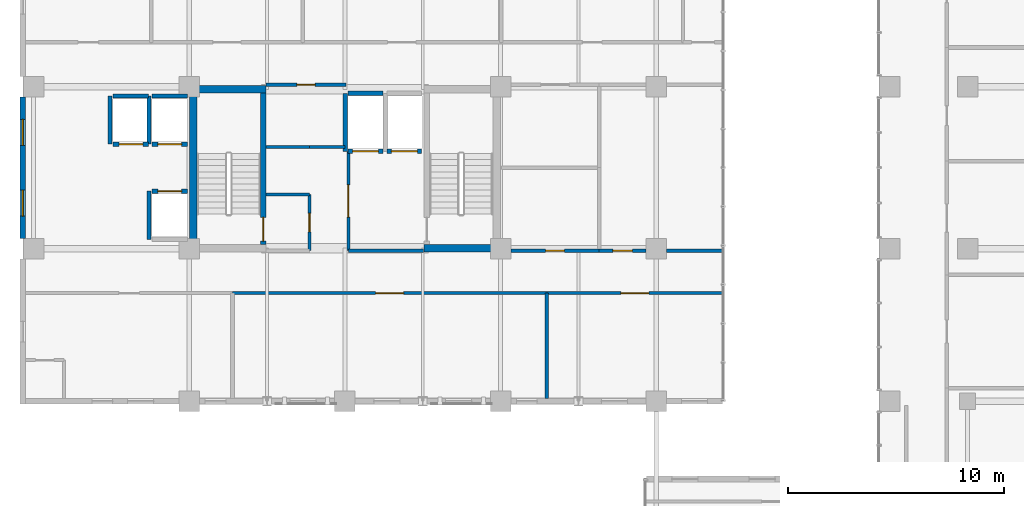
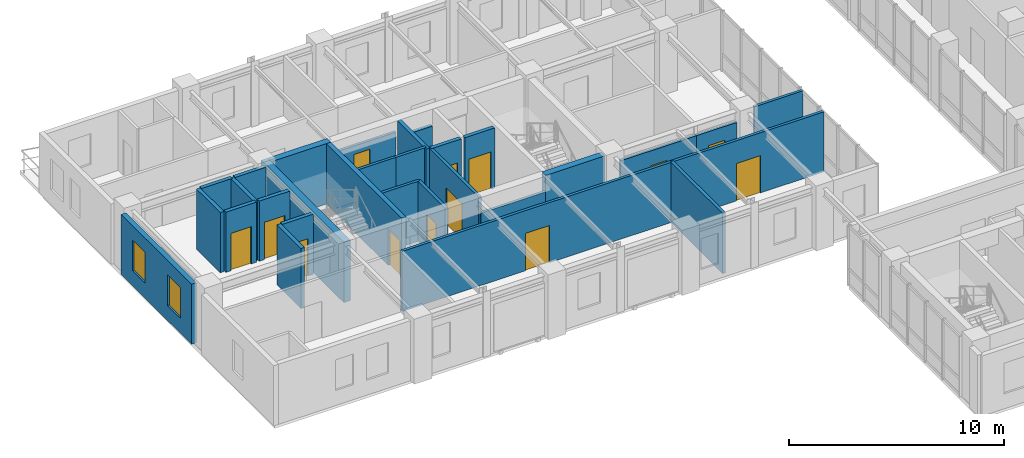
# One storey, part 17 of 24: 30 walls, 13 doors, 2 windows, 15 openings.
"""IFC4 building model written with IfcOpenShell, lengths in metres."""

from ifc_helpers import new_model, si_unit, direction, frame, frame_2d, origin, place, context, subcontext, project, spatial, rectangle, extrude, material, layer, layer_set, type_object, element, fill, save


model = new_model("IFC4")

# Units and contexts
model_context = context("Model", 3, precision=1e-05, world=origin(), true_north=direction((0.0, 1.0)))
body_context = subcontext(model_context, "Body", "Model", "MODEL_VIEW")
ifc_project = project(units=[si_unit("LENGTHUNIT", "METRE"), si_unit("AREAUNIT", "SQUARE_METRE"), si_unit("VOLUMEUNIT", "CUBIC_METRE"), si_unit("PLANEANGLEUNIT", "RADIAN"), si_unit("MASSUNIT", "GRAM", prefix="KILO")], contexts=[model_context])

# Site, building, storey
site_placement = place(None, origin())
site = spatial("IfcSite", under=ifc_project, at=site_placement, CompositionType="ELEMENT")
building_placement = place(site_placement, origin())
building = spatial("IfcBuilding", under=site, at=building_placement, Name="Kaliganga Portal Commons", CompositionType="ELEMENT")
storey_placement = place(building_placement, frame((0.0, 0.0, 235.10009765625)))
storey = spatial("IfcBuildingStorey", under=building, at=storey_placement, Name="L60", CompositionType="ELEMENT", Elevation=235.10009765625)

# Walls
ifc_material_1 = material(Name="Concrete C50/60", Category="concrete")
ifc_layer_1 = layer(ifc_material_1, 0.35009765625)
ifc_layer_set_1 = layer_set([ifc_layer_1], Name="Concrete C50/60")
wall_type_1 = type_object("IfcWallType", Name="WL-CORE-350", PredefinedType="SHEAR", material=ifc_layer_set_1)
wall_1_placement = place(storey_placement, frame((14.574951171875, 28.5, 0.0), z_axis=(0.0, 0.0, 1.0), x_axis=(0.0, 1.0, 0.0)))
element("IfcWall", 1, at=wall_1_placement, inside=storey, type_object=wall_type_1, Name="Core A West Shear Wall L60", PredefinedType="SHEAR", context=body_context, shape_type="SweptSolid", body=[
    extrude(rectangle(XDim=7.699951171875, YDim=0.35009765625, at=frame_2d((3.85009765625, 0.0))), origin(), (0.0, 0.0, 1.0), 3.43994140625),
])
for number, where, z_axis, x_axis, name in (
    (2, (25.25, 28.675048828125, 0.0), (0.0, 0.0, 1.0), (1.0, 0.0, 0.0), "Core A S-East Shear Wall L60"),
    (3, (14.75, 36.02490234375, 0.0), (0.0, 0.0, 1.0), (1.0, 0.0, 0.0), "Core A N-West Shear Wall L60"),
):
    element("IfcWall", number, at=place(storey_placement, frame(where, z_axis=z_axis, x_axis=x_axis)), inside=storey, type_object=wall_type_1, Name=name, PredefinedType="SHEAR", context=body_context, shape_type="SweptSolid", body=[
        extrude(rectangle(XDim=3.199951171875, YDim=0.35009765625, at=frame_2d((1.60009765625, 0.0))), origin(), (0.0, 0.0, 1.0), 3.43994140625),
    ])

# Wall, openings, windows
ifc_material_2 = material(Name="Insulated Aluminium-Clad Spandrel Assembly", Category="aluminium")
ifc_layer_2 = layer(ifc_material_2, 0.260009765625)
ifc_layer_set_2 = layer_set([ifc_layer_2], Name="Insulated Aluminium-Clad Spandrel Assembly")
wall_type_2 = type_object("IfcWallType", Name="WL-EXT-SPAND-260", PredefinedType="STANDARD", material=ifc_layer_set_2)
wall_2_placement = place(storey_placement, frame((6.699951171875, 29.1259765625, 0.0), z_axis=(0.0, 0.0, 1.0), x_axis=(0.0, 1.0, 0.0)))
wall_2 = element("IfcWall", 4, at=wall_2_placement, inside=storey, type_object=wall_type_2, Name="Exterior Envelope Wall L60 P1-E03-S2", PredefinedType="STANDARD", context=body_context, shape_type="SweptSolid", body=[
    extrude(rectangle(XDim=6.548095703125, YDim=0.260009765625, at=frame_2d((3.27392578125, 0.0))), origin(), (0.0, 0.0, 1.0), 3.419921875),
])
opening_1_placement = place(wall_2_placement, frame((1.037109375, 0.0, 0.85009765625)))
opening_1 = element("IfcOpeningElement", 5, at=opening_1_placement, cuts=wall_2, Name="Opening W-03", PredefinedType="OPENING", context=body_context, shape_type="SweptSolid", body=[
    extrude(rectangle(XDim=1.199951171875, YDim=1.75, at=frame_2d((0.60009765625, 0.875))), frame((0.0, 0.14013671875, 0.0), z_axis=(0.0, -1.0, 0.0), x_axis=(1.0, 0.0, 0.0)), (0.0, 0.0, 1.0), 0.280029296875),
])
opening_2_placement = place(wall_2_placement, frame((4.31103515625, 0.0, 0.85009765625)))
opening_2 = element("IfcOpeningElement", 6, at=opening_2_placement, cuts=wall_2, Name="Opening W-03", PredefinedType="OPENING", context=body_context, shape_type="SweptSolid", body=[
    extrude(rectangle(XDim=1.199951171875, YDim=1.75, at=frame_2d((0.60009765625, 0.875))), frame((0.0, 0.14013671875, 0.0), z_axis=(0.0, -1.0, 0.0), x_axis=(1.0, 0.0, 0.0)), (0.0, 0.0, 1.0), 0.280029296875),
])
ifc_material_3 = material(Name="Thermally Broken Aluminium and Low-E Double Glazing", Category="aluminium")
window_type = type_object("IfcWindowType", Name="WIN-STD-1200", PartitioningType="SINGLE_PANEL", PredefinedType="WINDOW", material=ifc_material_3)
window_1_placement = place(opening_1_placement, origin())
window_1 = element("IfcWindow", 7, at=window_1_placement, inside=storey, type_object=window_type, Name="Facade Window L60-P1E03S2-00", OverallHeight=1.75, OverallWidth=1.199951171875, PartitioningType="SINGLE_PANEL", PredefinedType="WINDOW", context=body_context, shape_type="SweptSolid", body=[
    extrude(rectangle(XDim=1.199951171875, YDim=1.75, at=frame_2d((0.60009765625, 0.875))), frame((0.0, 0.030029296875, 0.0), z_axis=(0.0, -1.0, 0.0), x_axis=(1.0, 0.0, 0.0)), (0.0, 0.0, 1.0), 0.06005859375),
])
fill(opening_1, window_1)
window_2_placement = place(opening_2_placement, origin())
window_2 = element("IfcWindow", 8, at=window_2_placement, inside=storey, type_object=window_type, Name="Facade Window L60-P1E03S2-01", OverallHeight=1.75, OverallWidth=1.199951171875, PartitioningType="SINGLE_PANEL", PredefinedType="WINDOW", context=body_context, shape_type="SweptSolid", body=[
    extrude(rectangle(XDim=1.199951171875, YDim=1.75, at=frame_2d((0.60009765625, 0.875))), frame((0.0, 0.030029296875, 0.0), z_axis=(0.0, -1.0, 0.0), x_axis=(1.0, 0.0, 0.0)), (0.0, 0.0, 1.0), 0.06005859375),
])
fill(opening_2, window_2)

# Wall, opening, door
ifc_material_4 = material(Name="Fire-Rated Gypsum Board on Steel Stud", Category="steel")
ifc_layer_3 = layer(ifc_material_4, 0.14990234375)
ifc_layer_set_3 = layer_set([ifc_layer_3], Name="Fire-Rated Gypsum Board on Steel Stud")
wall_type_3 = type_object("IfcWallType", Name="WL-PART-CORR-150", PredefinedType="PARTITIONING", material=ifc_layer_set_3)
wall_3_placement = place(storey_placement, frame((16.39990234375, 26.60009765625, 0.0), z_axis=(0.0, 0.0, 1.0), x_axis=(1.0, 0.0, 0.0)))
wall_3 = element("IfcWall", 9, at=wall_3_placement, inside=storey, type_object=wall_type_3, Name="Interior Partition L60-006", PredefinedType="PARTITIONING", context=body_context, shape_type="SweptSolid", body=[
    extrude(rectangle(XDim=14.5400390625, YDim=0.14990234375, at=frame_2d((7.27001953125, 0.0))), origin(), (0.0, 0.0, 1.0), 3.419921875),
])
opening_3_placement = place(wall_3_placement, frame((6.6201171875, 0.0, 0.0)))
opening_3 = element("IfcOpeningElement", 10, at=opening_3_placement, cuts=wall_3, Name="Opening RD-03", PredefinedType="OPENING", context=body_context, shape_type="SweptSolid", body=[
    extrude(rectangle(XDim=1.300048828125, YDim=2.1201171875, at=frame_2d((0.64990234375, 1.06005859375))), frame((0.0, 0.0849609375, 0.0), z_axis=(0.0, -1.0, 0.0), x_axis=(1.0, 0.0, 0.0)), (0.0, 0.0, 1.0), 0.169921875),
])
ifc_material_5 = material(Name="Glazed Timber Seminar Vision Door", Category="wood")
door_type_1 = type_object("IfcDoorType", Name="DR-STUDY-1300", OperationType="DOUBLE_DOOR_SINGLE_SWING", PredefinedType="DOOR", material=ifc_material_5)
door_1_placement = place(opening_3_placement, origin())
door_1 = element("IfcDoor", 11, at=door_1_placement, inside=storey, type_object=door_type_1, Name="Interior Door L60-AS02", OperationType="DOUBLE_DOOR_SINGLE_SWING", OverallHeight=2.1201171875, OverallWidth=1.300048828125, PredefinedType="DOOR", context=body_context, shape_type="SweptSolid", body=[
    extrude(rectangle(XDim=1.300048828125, YDim=2.1201171875, at=frame_2d((0.64990234375, 1.06005859375))), frame((0.0, 0.02490234375, 0.0), z_axis=(0.0, -1.0, 0.0), x_axis=(1.0, 0.0, 0.0)), (0.0, 0.0, 1.0), 0.050048828125),
])
fill(opening_3, door_1)

wall_4_placement = place(storey_placement, frame((30.93994140625, 26.60009765625, 0.0), z_axis=(0.0, 0.0, 1.0), x_axis=(1.0, 0.0, 0.0)))
wall_4 = element("IfcWall", 12, at=wall_4_placement, inside=storey, type_object=wall_type_3, Name="Interior Partition L60-012", PredefinedType="PARTITIONING", context=body_context, shape_type="SweptSolid", body=[
    extrude(rectangle(XDim=8.14013671875, YDim=0.14990234375, at=frame_2d((4.070068359375, 0.0))), origin(), (0.0, 0.0, 1.0), 3.419921875),
])
opening_4_placement = place(wall_4_placement, frame((3.419921875, 0.0, 0.0)))
opening_4 = element("IfcOpeningElement", 13, at=opening_4_placement, cuts=wall_4, Name="Opening RD-03", PredefinedType="OPENING", context=body_context, shape_type="SweptSolid", body=[
    extrude(rectangle(XDim=1.300048828125, YDim=2.1201171875, at=frame_2d((0.64990234375, 1.06005859375))), frame((0.0, 0.0849609375, 0.0), z_axis=(0.0, -1.0, 0.0), x_axis=(1.0, 0.0, 0.0)), (0.0, 0.0, 1.0), 0.169921875),
])
door_2_placement = place(opening_4_placement, origin())
door_2 = element("IfcDoor", 14, at=door_2_placement, inside=storey, type_object=door_type_1, Name="Interior Door L60-AS03", OperationType="DOUBLE_DOOR_SINGLE_SWING", OverallHeight=2.1201171875, OverallWidth=1.300048828125, PredefinedType="DOOR", context=body_context, shape_type="SweptSolid", body=[
    extrude(rectangle(XDim=1.300048828125, YDim=2.1201171875, at=frame_2d((0.64990234375, 1.06005859375))), frame((0.0, 0.02490234375, 0.0), z_axis=(0.0, -1.0, 0.0), x_axis=(1.0, 0.0, 0.0)), (0.0, 0.0, 1.0), 0.050048828125),
])
fill(opening_4, door_2)

wall_5_placement = place(storey_placement, frame((33.360107421875, 28.56005859375, 0.0), z_axis=(0.0, 0.0, 1.0), x_axis=(1.0, 0.0, 0.0)))
wall_5 = element("IfcWall", 15, at=wall_5_placement, inside=storey, type_object=wall_type_3, Name="Interior Partition L60-015", PredefinedType="PARTITIONING", context=body_context, shape_type="SweptSolid", body=[
    extrude(rectangle(XDim=2.164794921875, YDim=0.14990234375, at=frame_2d((1.08251953125, 0.0))), origin(), (0.0, 0.0, 1.0), 2.869873046875),
])
opening_5_placement = place(wall_5_placement, frame((0.632568359375, 0.0, 0.0)))
opening_5 = element("IfcOpeningElement", 16, at=opening_5_placement, cuts=wall_5, Name="Opening RD-01", PredefinedType="OPENING", context=body_context, shape_type="SweptSolid", body=[
    extrude(rectangle(XDim=0.89990234375, YDim=2.080078125, at=frame_2d((0.449951171875, 1.0400390625))), frame((0.0, 0.0849609375, 0.0), z_axis=(0.0, -1.0, 0.0), x_axis=(1.0, 0.0, 0.0)), (0.0, 0.0, 1.0), 0.169921875),
])
ifc_material_6 = material(Name="Engineered Timber Flush Door", Category="wood")
door_type_2 = type_object("IfcDoorType", Name="DR-ROOM-900", OperationType="NOTDEFINED", PredefinedType="DOOR", material=ifc_material_6)
door_3_placement = place(opening_5_placement, origin())
door_3 = element("IfcDoor", 17, at=door_3_placement, inside=storey, type_object=door_type_2, Name="Interior Door L60-APE01", OperationType="SINGLE_SWING_RIGHT", OverallHeight=2.080078125, OverallWidth=0.89990234375, PredefinedType="DOOR", context=body_context, shape_type="SweptSolid", body=[
    extrude(rectangle(XDim=0.89990234375, YDim=2.080078125, at=frame_2d((0.449951171875, 1.0400390625))), frame((0.0, 0.02490234375, 0.0), z_axis=(0.0, -1.0, 0.0), x_axis=(1.0, 0.0, 0.0)), (0.0, 0.0, 1.0), 0.050048828125),
])
fill(opening_5, door_3)

# Wall
wall_6_placement = place(storey_placement, frame((36.47509765625, 28.56005859375, 0.0), z_axis=(0.0, 0.0, 1.0), x_axis=(1.0, 0.0, 0.0)))
element("IfcWall", 18, at=wall_6_placement, inside=storey, type_object=wall_type_3, Name="Interior Partition L60-016", PredefinedType="PARTITIONING", context=body_context, shape_type="SweptSolid", body=[
    extrude(rectangle(XDim=2.60498046875, YDim=0.14990234375, at=frame_2d((1.302490234375, 0.0))), origin(), (0.0, 0.0, 1.0), 3.419921875),
])

# Wall, opening, door
wall_7_placement = place(storey_placement, frame((29.27490234375, 28.56005859375, 0.0), z_axis=(0.0, 0.0, 1.0), x_axis=(1.0, 0.0, 0.0)))
wall_7 = element("IfcWall", 19, at=wall_7_placement, inside=storey, type_object=wall_type_3, Name="Interior Partition L60-024", PredefinedType="PARTITIONING", context=body_context, shape_type="SweptSolid", body=[
    extrude(rectangle(XDim=4.085205078125, YDim=0.14990234375, at=frame_2d((2.04248046875, 0.0))), origin(), (0.0, 0.0, 1.0), 2.869873046875),
])
opening_6_placement = place(wall_7_placement, frame((1.612548828125, 0.0, 0.0)))
opening_6 = element("IfcOpeningElement", 20, at=opening_6_placement, cuts=wall_7, Name="Opening WD-02", PredefinedType="OPENING", context=body_context, shape_type="SweptSolid", body=[
    extrude(rectangle(XDim=0.860107421875, YDim=2.02001953125, at=frame_2d((0.43017578125, 1.010009765625))), frame((0.0, 0.0849609375, 0.0), z_axis=(0.0, -1.0, 0.0), x_axis=(1.0, 0.0, 0.0)), (0.0, 0.0, 1.0), 0.169921875),
])
ifc_material_7 = material(Name="Fire-Rated Utility Closet Door", Category="wood")
door_type_3 = type_object("IfcDoorType", Name="DR-STORE-800", OperationType="NOTDEFINED", PredefinedType="DOOR", material=ifc_material_7)
door_4_placement = place(opening_6_placement, origin())
door_4 = element("IfcDoor", 21, at=door_4_placement, inside=storey, type_object=door_type_3, Name="Interior Door L60-CSRV_A1", OperationType="SINGLE_SWING_LEFT", OverallHeight=2.02001953125, OverallWidth=0.860107421875, PredefinedType="DOOR", context=body_context, shape_type="SweptSolid", body=[
    extrude(rectangle(XDim=0.860107421875, YDim=2.02001953125, at=frame_2d((0.43017578125, 1.010009765625))), frame((0.0, 0.02490234375, 0.0), z_axis=(0.0, -1.0, 0.0), x_axis=(1.0, 0.0, 0.0)), (0.0, 0.0, 1.0), 0.050048828125),
])
fill(opening_6, door_4)

wall_8_placement = place(storey_placement, frame((17.9599609375, 36.239990234375, 0.0), z_axis=(0.0, 0.0, 1.0), x_axis=(1.0, 0.0, 0.0)))
wall_8 = element("IfcWall", 22, at=wall_8_placement, inside=storey, type_object=wall_type_3, Name="Interior Partition L60-028", PredefinedType="PARTITIONING", context=body_context, shape_type="SweptSolid", body=[
    extrude(rectangle(XDim=3.679931640625, YDim=0.14990234375, at=frame_2d((1.83984375, 0.0))), origin(), (0.0, 0.0, 1.0), 2.52001953125),
])
opening_7_placement = place(wall_8_placement, frame((1.4150390625, 0.0, 0.0)))
opening_7 = element("IfcOpeningElement", 23, at=opening_7_placement, cuts=wall_8, Name="Opening WD-01", PredefinedType="OPENING", context=body_context, shape_type="SweptSolid", body=[
    extrude(rectangle(XDim=0.85009765625, YDim=2.0400390625, at=frame_2d((0.425048828125, 1.02001953125))), frame((0.0, 0.0849609375, 0.0), z_axis=(0.0, -1.0, 0.0), x_axis=(1.0, 0.0, 0.0)), (0.0, 0.0, 1.0), 0.169921875),
])
ifc_material_8 = material(Name="Moisture-Resistant Laminate Timber Door", Category="wood")
door_type_4 = type_object("IfcDoorType", Name="DR-WET-850", OperationType="NOTDEFINED", PredefinedType="DOOR", material=ifc_material_8)
door_5_placement = place(opening_7_placement, origin())
door_5 = element("IfcDoor", 24, at=door_5_placement, inside=storey, type_object=door_type_4, Name="Interior Door L60-CREC_A1", OperationType="SINGLE_SWING_RIGHT", OverallHeight=2.0400390625, OverallWidth=0.85009765625, PredefinedType="DOOR", context=body_context, shape_type="SweptSolid", body=[
    extrude(rectangle(XDim=0.85009765625, YDim=2.0400390625, at=frame_2d((0.425048828125, 1.02001953125))), frame((0.0, 0.02490234375, 0.0), z_axis=(0.0, -1.0, 0.0), x_axis=(1.0, 0.0, 0.0)), (0.0, 0.0, 1.0), 0.050048828125),
])
fill(opening_7, door_5)

wall_9_placement = place(storey_placement, frame((19.9599609375, 28.56005859375, 0.0), z_axis=(0.0, 0.0, 1.0), x_axis=(0.0, 1.0, 0.0)))
wall_9 = element("IfcWall", 25, at=wall_9_placement, inside=storey, type_object=wall_type_3, Name="Interior Partition L60-033", PredefinedType="PARTITIONING", context=body_context, shape_type="SweptSolid", body=[
    extrude(rectangle(XDim=2.599853515625, YDim=0.14990234375, at=frame_2d((1.2998046875, 0.0))), origin(), (0.0, 0.0, 1.0), 3.419921875),
])
opening_8_placement = place(wall_9_placement, frame((0.8701171875, 0.0, 0.0)))
opening_8 = element("IfcOpeningElement", 26, at=opening_8_placement, cuts=wall_9, Name="Opening WD-02", PredefinedType="OPENING", context=body_context, shape_type="SweptSolid", body=[
    extrude(rectangle(XDim=0.860107421875, YDim=2.02001953125, at=frame_2d((0.43017578125, 1.010009765625))), frame((0.0, 0.0849609375, 0.0), z_axis=(0.0, -1.0, 0.0), x_axis=(1.0, 0.0, 0.0)), (0.0, 0.0, 1.0), 0.169921875),
])
door_6_placement = place(opening_8_placement, origin())
door_6 = element("IfcDoor", 27, at=door_6_placement, inside=storey, type_object=door_type_3, Name="Interior Door L60-CIN_A1", OperationType="SINGLE_SWING_RIGHT", OverallHeight=2.02001953125, OverallWidth=0.860107421875, PredefinedType="DOOR", context=body_context, shape_type="SweptSolid", body=[
    extrude(rectangle(XDim=0.860107421875, YDim=2.02001953125, at=frame_2d((0.43017578125, 1.010009765625))), frame((0.0, 0.02490234375, 0.0), z_axis=(0.0, -1.0, 0.0), x_axis=(1.0, 0.0, 0.0)), (0.0, 0.0, 1.0), 0.050048828125),
])
fill(opening_8, door_6)

# Walls
for number, where, z_axis, x_axis, name in (
    (28, (17.9599609375, 31.159912109375, 0.0), (0.0, 0.0, 1.0), (1.0, 0.0, 0.0), "Interior Partition L60-036"),
    (29, (17.9599609375, 33.360107421875, 0.0), (0.0, 0.0, 1.0), (1.0, 0.0, 0.0), "Interior Partition L60-037"),
):
    element("IfcWall", number, at=place(storey_placement, frame(where, z_axis=z_axis, x_axis=x_axis)), inside=storey, type_object=wall_type_3, Name=name, PredefinedType="PARTITIONING", context=body_context, shape_type="SweptSolid", body=[
        extrude(rectangle(XDim=2.0, YDim=0.14990234375, at=frame_2d((1.0, 0.0))), origin(), (0.0, 0.0, 1.0), 3.419921875),
    ])
wall_10_placement = place(storey_placement, frame((19.9599609375, 33.360107421875, 0.0), z_axis=(0.0, 0.0, 1.0), x_axis=(1.0, 0.0, 0.0)))
element("IfcWall", 30, at=wall_10_placement, inside=storey, type_object=wall_type_3, Name="Interior Partition L60-039", PredefinedType="PARTITIONING", context=body_context, shape_type="SweptSolid", body=[
    extrude(rectangle(XDim=1.650146484375, YDim=0.14990234375, at=frame_2d((0.8251953125, 0.0))), origin(), (0.0, 0.0, 1.0), 3.419921875),
])

# Wall, opening, door
wall_11_placement = place(storey_placement, frame((21.760009765625, 28.56005859375, 0.0), z_axis=(0.0, 0.0, 1.0), x_axis=(0.0, 1.0, 0.0)))
wall_11 = element("IfcWall", 31, at=wall_11_placement, inside=storey, type_object=wall_type_3, Name="Interior Partition L60-049", PredefinedType="PARTITIONING", context=body_context, shape_type="SweptSolid", body=[
    extrude(rectangle(XDim=4.599853515625, YDim=0.14990234375, at=frame_2d((2.2998046875, 0.0))), origin(), (0.0, 0.0, 1.0), 3.419921875),
])
opening_9_placement = place(wall_11_placement, frame((1.550048828125, 0.0, 0.0)))
opening_9 = element("IfcOpeningElement", 32, at=opening_9_placement, cuts=wall_11, Name="Opening FD-01", PredefinedType="OPENING", context=body_context, shape_type="SweptSolid", body=[
    extrude(rectangle(XDim=1.5, YDim=2.10009765625, at=frame_2d((0.75, 1.050048828125))), frame((0.0, 0.0849609375, 0.0), z_axis=(0.0, -1.0, 0.0), x_axis=(1.0, 0.0, 0.0)), (0.0, 0.0, 1.0), 0.169921875),
])
ifc_material_9 = material(Name="Fire-Rated Hardwood and Georgian-Wired Vision Panel", Category="wood")
door_type_5 = type_object("IfcDoorType", Name="DR-LOBBY-1500", OperationType="DOUBLE_DOOR_SINGLE_SWING", PredefinedType="DOOR", material=ifc_material_9)
door_7_placement = place(opening_9_placement, origin())
door_7 = element("IfcDoor", 33, at=door_7_placement, inside=storey, type_object=door_type_5, Name="Interior Door L60-FFLOB_A", OperationType="DOUBLE_DOOR_SINGLE_SWING", OverallHeight=2.10009765625, OverallWidth=1.5, PredefinedType="DOOR", context=body_context, shape_type="SweptSolid", body=[
    extrude(rectangle(XDim=1.5, YDim=2.10009765625, at=frame_2d((0.75, 1.050048828125))), frame((0.0, 0.02490234375, 0.0), z_axis=(0.0, -1.0, 0.0), x_axis=(1.0, 0.0, 0.0)), (0.0, 0.0, 1.0), 0.050048828125),
])
fill(opening_9, door_7)

# Walls
wall_12_placement = place(storey_placement, frame((21.760009765625, 28.56005859375, 0.0), z_axis=(0.0, 0.0, 1.0), x_axis=(1.0, 0.0, 0.0)))
element("IfcWall", 34, at=wall_12_placement, inside=storey, type_object=wall_type_3, Name="Interior Partition L60-054", PredefinedType="PARTITIONING", context=body_context, shape_type="SweptSolid", body=[
    extrude(rectangle(XDim=3.47998046875, YDim=0.14990234375, at=frame_2d((1.739990234375, 0.0))), origin(), (0.0, 0.0, 1.0), 2.52001953125),
])
ifc_material_10 = material(Name="Twin-Stud Acoustic Gypsum Partition", Category="gypsum")
ifc_layer_4 = layer(ifc_material_10, 0.1650390625)
ifc_layer_set_4 = layer_set([ifc_layer_4], Name="Twin-Stud Acoustic Gypsum Partition")
wall_type_4 = type_object("IfcWallType", Name="WL-PART-UNIT-165", PredefinedType="PARTITIONING", material=ifc_layer_set_4)
wall_13_placement = place(storey_placement, frame((30.93994140625, 21.73193359375, 0.0), z_axis=(0.0, 0.0, 1.0), x_axis=(0.0, 1.0, 0.0)))
element("IfcWall", 35, at=wall_13_placement, inside=storey, type_object=wall_type_4, Name="Interior Partition L60-047", PredefinedType="PARTITIONING", context=body_context, shape_type="SweptSolid", body=[
    extrude(rectangle(XDim=4.8681640625, YDim=0.1650390625, at=frame_2d((2.43408203125, 0.0))), origin(), (0.0, 0.0, 1.0), 3.419921875),
])

# Wall, opening, door
ifc_material_11 = material(Name="Fire-Rated Shaftwall Masonry Assembly", Category="masonry")
ifc_layer_5 = layer(ifc_material_11, 0.199951171875)
ifc_layer_set_5 = layer_set([ifc_layer_5], Name="Fire-Rated Shaftwall Masonry Assembly")
wall_type_5 = type_object("IfcWallType", Name="WL-SHAFT-200", PredefinedType="PARTITIONING", material=ifc_layer_set_5)
wall_14_placement = place(storey_placement, frame((12.675048828125, 33.485107421875, 0.0), z_axis=(0.0, 0.0, 1.0), x_axis=(1.0, 0.0, 0.0)))
wall_14 = element("IfcWall", 36, at=wall_14_placement, inside=storey, type_object=wall_type_5, Name="Lift PL-A3 Hoistway Shaft Wall L60-S", PredefinedType="PARTITIONING", context=body_context, shape_type="SweptSolid", body=[
    extrude(rectangle(XDim=1.64990234375, YDim=0.199951171875, at=frame_2d((0.824951171875, 0.0))), origin(), (0.0, 0.0, 1.0), 3.419921875),
])
opening_10_placement = place(wall_14_placement, frame((0.27490234375, 0.0, 0.0)))
opening_10 = element("IfcOpeningElement", 37, at=opening_10_placement, cuts=wall_14, Name="Opening LD-01", PredefinedType="OPENING", context=body_context, shape_type="SweptSolid", body=[
    extrude(rectangle(XDim=1.10009765625, YDim=2.1201171875, at=frame_2d((0.550048828125, 1.06005859375))), frame((0.0, 0.10986328125, 0.0), z_axis=(0.0, -1.0, 0.0), x_axis=(1.0, 0.0, 0.0)), (0.0, 0.0, 1.0), 0.219970703125),
])
ifc_material_12 = material(Name="Brushed Stainless Steel 316 Lift Landing Door", Category="steel")
door_type_6 = type_object("IfcDoorType", Name="DR-LIFT-1100", OperationType="SLIDING_TO_LEFT", PredefinedType="DOOR", material=ifc_material_12)
door_8_placement = place(opening_10_placement, origin())
door_8 = element("IfcDoor", 38, at=door_8_placement, inside=storey, type_object=door_type_6, Name="Lift PL-A3 Sliding Landing Door L60", OperationType="SLIDING_TO_LEFT", OverallHeight=2.1201171875, OverallWidth=1.10009765625, PredefinedType="DOOR", context=body_context, shape_type="SweptSolid", body=[
    extrude(rectangle(XDim=1.10009765625, YDim=2.1201171875, at=frame_2d((0.550048828125, 1.06005859375))), frame((0.0, 0.02490234375, 0.0), z_axis=(0.0, -1.0, 0.0), x_axis=(1.0, 0.0, 0.0)), (0.0, 0.0, 1.0), 0.050048828125),
])
fill(opening_10, door_8)

# Walls
wall_15_placement = place(storey_placement, frame((12.675048828125, 35.715087890625, 0.0), z_axis=(0.0, 0.0, 1.0), x_axis=(1.0, 0.0, 0.0)))
element("IfcWall", 39, at=wall_15_placement, inside=storey, type_object=wall_type_5, Name="Lift PL-A3 Hoistway Shaft Wall L60-N", PredefinedType="PARTITIONING", context=body_context, shape_type="SweptSolid", body=[
    extrude(rectangle(XDim=1.64990234375, YDim=0.199951171875, at=frame_2d((0.824951171875, 0.0))), origin(), (0.0, 0.0, 1.0), 3.419921875),
])
wall_16_placement = place(storey_placement, frame((12.534912109375, 33.485107421875, 0.0), z_axis=(0.0, 0.0, 1.0), x_axis=(0.0, 1.0, 0.0)))
element("IfcWall", 40, at=wall_16_placement, inside=storey, type_object=wall_type_5, Name="Lift PL-A3 Hoistway Shaft Wall L60-W", PredefinedType="PARTITIONING", context=body_context, shape_type="SweptSolid", body=[
    extrude(rectangle(XDim=2.22998046875, YDim=0.199951171875, at=frame_2d((1.114990234375, 0.0))), origin(), (0.0, 0.0, 1.0), 3.419921875),
])

# Wall, opening, door
wall_17_placement = place(storey_placement, frame((12.675048828125, 31.31494140625, 0.0), z_axis=(0.0, 0.0, 1.0), x_axis=(1.0, 0.0, 0.0)))
wall_17 = element("IfcWall", 41, at=wall_17_placement, inside=storey, type_object=wall_type_5, Name="Lift PL-A4 Hoistway Shaft Wall L60-N", PredefinedType="PARTITIONING", context=body_context, shape_type="SweptSolid", body=[
    extrude(rectangle(XDim=1.64990234375, YDim=0.199951171875, at=frame_2d((0.824951171875, 0.0))), origin(), (0.0, 0.0, 1.0), 3.419921875),
])
opening_11_placement = place(wall_17_placement, frame((0.27490234375, 0.0, 0.0)))
opening_11 = element("IfcOpeningElement", 42, at=opening_11_placement, cuts=wall_17, Name="Opening LD-01", PredefinedType="OPENING", context=body_context, shape_type="SweptSolid", body=[
    extrude(rectangle(XDim=1.10009765625, YDim=2.1201171875, at=frame_2d((0.550048828125, 1.06005859375))), frame((0.0, 0.10986328125, 0.0), z_axis=(0.0, -1.0, 0.0), x_axis=(1.0, 0.0, 0.0)), (0.0, 0.0, 1.0), 0.219970703125),
])
door_9_placement = place(opening_11_placement, origin())
door_9 = element("IfcDoor", 43, at=door_9_placement, inside=storey, type_object=door_type_6, Name="Lift PL-A4 Sliding Landing Door L60", OperationType="SLIDING_TO_LEFT", OverallHeight=2.1201171875, OverallWidth=1.10009765625, PredefinedType="DOOR", context=body_context, shape_type="SweptSolid", body=[
    extrude(rectangle(XDim=1.10009765625, YDim=2.1201171875, at=frame_2d((0.550048828125, 1.06005859375))), frame((0.0, 0.02490234375, 0.0), z_axis=(0.0, -1.0, 0.0), x_axis=(1.0, 0.0, 0.0)), (0.0, 0.0, 1.0), 0.050048828125),
])
fill(opening_11, door_9)

# Wall
wall_18_placement = place(storey_placement, frame((12.534912109375, 29.0849609375, 0.0), z_axis=(0.0, 0.0, 1.0), x_axis=(0.0, 1.0, 0.0)))
element("IfcWall", 44, at=wall_18_placement, inside=storey, type_object=wall_type_5, Name="Lift PL-A4 Hoistway Shaft Wall L60-W", PredefinedType="PARTITIONING", context=body_context, shape_type="SweptSolid", body=[
    extrude(rectangle(XDim=2.22998046875, YDim=0.199951171875, at=frame_2d((1.114990234375, 0.0))), origin(), (0.0, 0.0, 1.0), 3.419921875),
])

# Wall, opening, door
wall_19_placement = place(storey_placement, frame((10.875, 33.485107421875, 0.0), z_axis=(0.0, 0.0, 1.0), x_axis=(1.0, 0.0, 0.0)))
wall_19 = element("IfcWall", 45, at=wall_19_placement, inside=storey, type_object=wall_type_5, Name="Lift PL-OBS Hoistway Shaft Wall L60-S", PredefinedType="PARTITIONING", context=body_context, shape_type="SweptSolid", body=[
    extrude(rectangle(XDim=1.64990234375, YDim=0.199951171875, at=frame_2d((0.824951171875, 0.0))), origin(), (0.0, 0.0, 1.0), 3.419921875),
])
opening_12_placement = place(wall_19_placement, frame((0.27490234375, 0.0, 0.0)))
opening_12 = element("IfcOpeningElement", 46, at=opening_12_placement, cuts=wall_19, Name="Opening LD-01", PredefinedType="OPENING", context=body_context, shape_type="SweptSolid", body=[
    extrude(rectangle(XDim=1.10009765625, YDim=2.1201171875, at=frame_2d((0.550048828125, 1.06005859375))), frame((0.0, 0.10986328125, 0.0), z_axis=(0.0, -1.0, 0.0), x_axis=(1.0, 0.0, 0.0)), (0.0, 0.0, 1.0), 0.219970703125),
])
door_10_placement = place(opening_12_placement, origin())
door_10 = element("IfcDoor", 47, at=door_10_placement, inside=storey, type_object=door_type_6, Name="Lift PL-OBS Sliding Landing Door L60", OperationType="SLIDING_TO_LEFT", OverallHeight=2.1201171875, OverallWidth=1.10009765625, PredefinedType="DOOR", context=body_context, shape_type="SweptSolid", body=[
    extrude(rectangle(XDim=1.10009765625, YDim=2.1201171875, at=frame_2d((0.550048828125, 1.06005859375))), frame((0.0, 0.02490234375, 0.0), z_axis=(0.0, -1.0, 0.0), x_axis=(1.0, 0.0, 0.0)), (0.0, 0.0, 1.0), 0.050048828125),
])
fill(opening_12, door_10)

# Walls
wall_20_placement = place(storey_placement, frame((10.875, 35.715087890625, 0.0), z_axis=(0.0, 0.0, 1.0), x_axis=(1.0, 0.0, 0.0)))
element("IfcWall", 48, at=wall_20_placement, inside=storey, type_object=wall_type_5, Name="Lift PL-OBS Hoistway Shaft Wall L60-N", PredefinedType="PARTITIONING", context=body_context, shape_type="SweptSolid", body=[
    extrude(rectangle(XDim=1.64990234375, YDim=0.199951171875, at=frame_2d((0.824951171875, 0.0))), origin(), (0.0, 0.0, 1.0), 3.419921875),
])
wall_21_placement = place(storey_placement, frame((10.735107421875, 33.485107421875, 0.0), z_axis=(0.0, 0.0, 1.0), x_axis=(0.0, 1.0, 0.0)))
element("IfcWall", 49, at=wall_21_placement, inside=storey, type_object=wall_type_5, Name="Lift PL-OBS Hoistway Shaft Wall L60-W", PredefinedType="PARTITIONING", context=body_context, shape_type="SweptSolid", body=[
    extrude(rectangle(XDim=2.22998046875, YDim=0.199951171875, at=frame_2d((1.114990234375, 0.0))), origin(), (0.0, 0.0, 1.0), 3.419921875),
])

# Wall, opening, door
wall_22_placement = place(storey_placement, frame((21.75, 33.159912109375, 0.0), z_axis=(0.0, 0.0, 1.0), x_axis=(1.0, 0.0, 0.0)))
wall_22 = element("IfcWall", 50, at=wall_22_placement, inside=storey, type_object=wall_type_5, Name="Lift FFL-1 Hoistway Shaft Wall L60-S", PredefinedType="PARTITIONING", context=body_context, shape_type="SweptSolid", body=[
    extrude(rectangle(XDim=1.60009765625, YDim=0.199951171875, at=frame_2d((0.800048828125, 0.0))), origin(), (0.0, 0.0, 1.0), 3.419921875),
])
opening_13_placement = place(wall_22_placement, frame((0.199951171875, 0.0, 0.0)))
opening_13 = element("IfcOpeningElement", 51, at=opening_13_placement, cuts=wall_22, Name="Opening LD-02", PredefinedType="OPENING", context=body_context, shape_type="SweptSolid", body=[
    extrude(rectangle(XDim=1.199951171875, YDim=2.1201171875, at=frame_2d((0.60009765625, 1.06005859375))), frame((0.0, 0.10986328125, 0.0), z_axis=(0.0, -1.0, 0.0), x_axis=(1.0, 0.0, 0.0)), (0.0, 0.0, 1.0), 0.219970703125),
])
ifc_material_13 = material(Name="Brushed Stainless Steel 316 Stretcher Lift Landing Door", Category="steel")
door_type_7 = type_object("IfcDoorType", Name="DR-LIFT-1200", OperationType="SLIDING_TO_RIGHT", PredefinedType="DOOR", material=ifc_material_13)
door_11_placement = place(opening_13_placement, origin())
door_11 = element("IfcDoor", 52, at=door_11_placement, inside=storey, type_object=door_type_7, Name="Lift FFL-1 Sliding Landing Door L60", OperationType="SLIDING_TO_RIGHT", OverallHeight=2.1201171875, OverallWidth=1.199951171875, PredefinedType="DOOR", context=body_context, shape_type="SweptSolid", body=[
    extrude(rectangle(XDim=1.199951171875, YDim=2.1201171875, at=frame_2d((0.60009765625, 1.06005859375))), frame((0.0, 0.02490234375, 0.0), z_axis=(0.0, -1.0, 0.0), x_axis=(1.0, 0.0, 0.0)), (0.0, 0.0, 1.0), 0.050048828125),
])
fill(opening_13, door_11)

# Walls
wall_23_placement = place(storey_placement, frame((21.75, 35.840087890625, 0.0), z_axis=(0.0, 0.0, 1.0), x_axis=(1.0, 0.0, 0.0)))
element("IfcWall", 53, at=wall_23_placement, inside=storey, type_object=wall_type_5, Name="Lift FFL-1 Hoistway Shaft Wall L60-N", PredefinedType="PARTITIONING", context=body_context, shape_type="SweptSolid", body=[
    extrude(rectangle(XDim=1.60009765625, YDim=0.199951171875, at=frame_2d((0.800048828125, 0.0))), origin(), (0.0, 0.0, 1.0), 2.52001953125),
])
wall_24_placement = place(storey_placement, frame((21.610107421875, 33.159912109375, 0.0), z_axis=(0.0, 0.0, 1.0), x_axis=(0.0, 1.0, 0.0)))
element("IfcWall", 54, at=wall_24_placement, inside=storey, type_object=wall_type_5, Name="Lift FFL-1 Hoistway Shaft Wall L60-W", PredefinedType="PARTITIONING", context=body_context, shape_type="SweptSolid", body=[
    extrude(rectangle(XDim=2.68017578125, YDim=0.199951171875, at=frame_2d((1.340087890625, 0.0))), origin(), (0.0, 0.0, 1.0), 3.419921875),
])

# Wall, opening, door
wall_25_placement = place(storey_placement, frame((23.550048828125, 33.159912109375, 0.0), z_axis=(0.0, 0.0, 1.0), x_axis=(1.0, 0.0, 0.0)))
wall_25 = element("IfcWall", 55, at=wall_25_placement, inside=storey, type_object=wall_type_5, Name="Lift FFL-2 Hoistway Shaft Wall L60-S", PredefinedType="PARTITIONING", context=body_context, shape_type="SweptSolid", body=[
    extrude(rectangle(XDim=1.599853515625, YDim=0.199951171875, at=frame_2d((0.7998046875, 0.0))), origin(), (0.0, 0.0, 1.0), 3.419921875),
])
opening_14_placement = place(wall_25_placement, frame((0.199951171875, 0.0, 0.0)))
opening_14 = element("IfcOpeningElement", 56, at=opening_14_placement, cuts=wall_25, Name="Opening LD-02", PredefinedType="OPENING", context=body_context, shape_type="SweptSolid", body=[
    extrude(rectangle(XDim=1.199951171875, YDim=2.1201171875, at=frame_2d((0.60009765625, 1.06005859375))), frame((0.0, 0.10986328125, 0.0), z_axis=(0.0, -1.0, 0.0), x_axis=(1.0, 0.0, 0.0)), (0.0, 0.0, 1.0), 0.219970703125),
])
door_12_placement = place(opening_14_placement, origin())
door_12 = element("IfcDoor", 57, at=door_12_placement, inside=storey, type_object=door_type_7, Name="Lift FFL-2 Sliding Landing Door L60", OperationType="SLIDING_TO_RIGHT", OverallHeight=2.1201171875, OverallWidth=1.199951171875, PredefinedType="DOOR", context=body_context, shape_type="SweptSolid", body=[
    extrude(rectangle(XDim=1.199951171875, YDim=2.1201171875, at=frame_2d((0.60009765625, 1.06005859375))), frame((0.0, 0.02490234375, 0.0), z_axis=(0.0, -1.0, 0.0), x_axis=(1.0, 0.0, 0.0)), (0.0, 0.0, 1.0), 0.050048828125),
])
fill(opening_14, door_12)

ifc_layer_6 = layer(ifc_material_1, 0.25)
ifc_layer_set_6 = layer_set([ifc_layer_6], Name="Concrete C50/60")
wall_type_6 = type_object("IfcWallType", Name="WL-STAIR-250", PredefinedType="SHEAR", material=ifc_layer_set_6)
wall_26_placement = place(storey_placement, frame((17.824951171875, 28.85009765625, 0.0), z_axis=(0.0, 0.0, 1.0), x_axis=(0.0, 1.0, 0.0)))
wall_26 = element("IfcWall", 58, at=wall_26_placement, inside=storey, type_object=wall_type_6, Name="Stair A1 Enclosure Shear Wall L60", PredefinedType="SHEAR", context=body_context, shape_type="SweptSolid", body=[
    extrude(rectangle(XDim=7.0, YDim=0.25, at=frame_2d((3.5, 0.0))), origin(), (0.0, 0.0, 1.0), 3.43994140625),
])
opening_15_placement = place(wall_26_placement, frame((0.14990234375, 0.0, 0.0)))
opening_15 = element("IfcOpeningElement", 59, at=opening_15_placement, cuts=wall_26, Name="Opening SD-01", PredefinedType="OPENING", context=body_context, shape_type="SweptSolid", body=[
    extrude(rectangle(XDim=1.10009765625, YDim=2.080078125, at=frame_2d((0.550048828125, 1.0400390625))), frame((0.0, 0.135009765625, 0.0), z_axis=(0.0, -1.0, 0.0), x_axis=(1.0, 0.0, 0.0)), (0.0, 0.0, 1.0), 0.27001953125),
])
ifc_material_14 = material(Name="Galvanized Steel Fire Door Leaf and Frame", Category="steel")
door_type_8 = type_object("IfcDoorType", Name="DR-STAIR-1100", OperationType="NOTDEFINED", PredefinedType="DOOR", material=ifc_material_14)
door_13_placement = place(opening_15_placement, origin())
door_13 = element("IfcDoor", 60, at=door_13_placement, inside=storey, type_object=door_type_8, Name="Protected Stair ST-A1 Fire Door L60", OperationType="SINGLE_SWING_RIGHT", OverallHeight=2.080078125, OverallWidth=1.10009765625, PredefinedType="DOOR", context=body_context, shape_type="SweptSolid", body=[
    extrude(rectangle(XDim=1.10009765625, YDim=2.080078125, at=frame_2d((0.550048828125, 1.0400390625))), frame((0.0, 0.02490234375, 0.0), z_axis=(0.0, -1.0, 0.0), x_axis=(1.0, 0.0, 0.0)), (0.0, 0.0, 1.0), 0.050048828125),
])
fill(opening_15, door_13)

save(model, "model.ifc")
